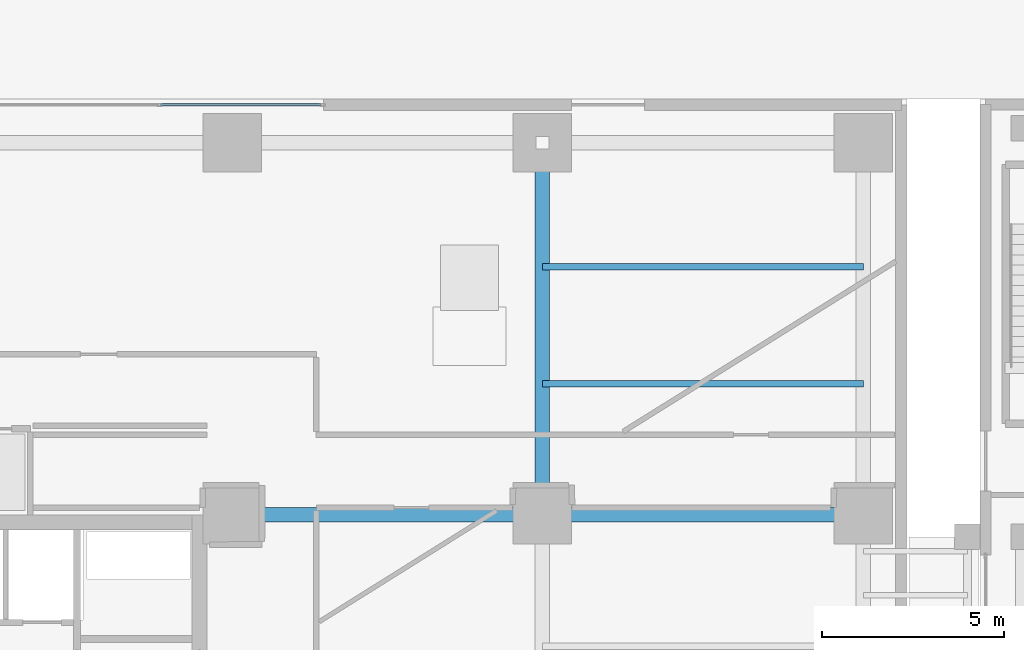
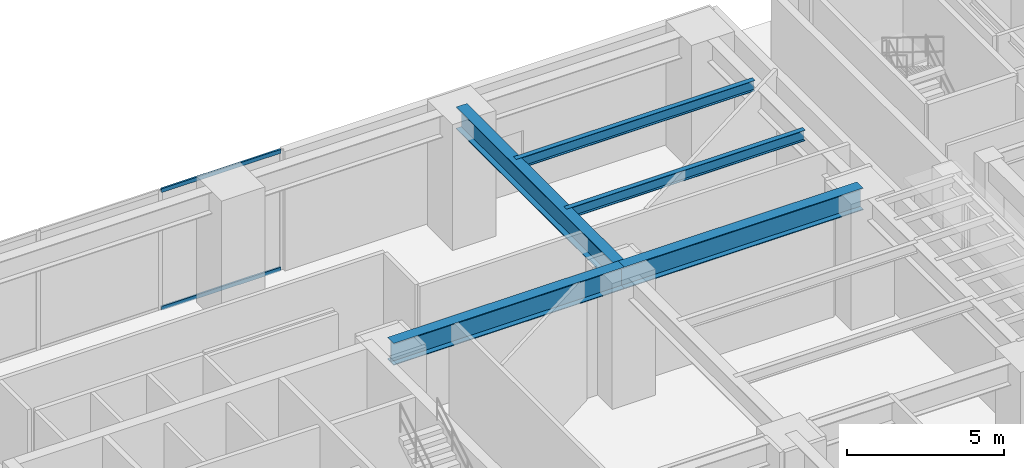
# One storey, part 14 of 28: 5 beams, 2 members, 1 element without a shape of its own.
"""IFC4 building model written with IfcOpenShell, lengths in metres."""

from ifc_helpers import new_model, si_unit, direction, frame, origin, origin_2d, place, context, subcontext, project, spatial, hollow_rectangle, i_section, extrude, source, transform, mapped, material, layer, layer_set, material_profile, profile_set, type_object, type_shapes, element, aggregate, save


model = new_model("IFC4")

# Units and contexts
model_context = context("Model", 3, precision=1e-05, world=origin(), true_north=direction((0.0, 1.0)))
body_context = subcontext(model_context, "Body", "Model", "MODEL_VIEW")
ifc_project = project(units=[si_unit("LENGTHUNIT", "METRE"), si_unit("AREAUNIT", "SQUARE_METRE"), si_unit("VOLUMEUNIT", "CUBIC_METRE"), si_unit("PLANEANGLEUNIT", "RADIAN"), si_unit("MASSUNIT", "GRAM", prefix="KILO")], contexts=[model_context])

# Site, building, storey
site_placement = place(None, origin())
site = spatial("IfcSite", under=ifc_project, at=site_placement, CompositionType="ELEMENT")
building_placement = place(site_placement, origin())
building = spatial("IfcBuilding", under=site, at=building_placement, Name="Talar Marvaseh", CompositionType="ELEMENT")
storey_placement = place(building_placement, origin())
storey = spatial("IfcBuildingStorey", under=building, at=storey_placement, Name="L00", CompositionType="ELEMENT", Elevation=0.0)

# Beams
ifc_material_1 = material(Name="Steel S355", Category="steel")
ifc_material_profile_1 = material_profile(ifc_material_1, i_section(OverallWidth=0.39990234375, OverallDepth=0.85498046875, WebThickness=0.018310546875, FlangeThickness=0.029296875, at=origin_2d()), Name="W840x299")
ifc_profile_set_1 = profile_set([ifc_material_profile_1], Name="Steel S355")
beam_type_1 = type_object("IfcBeamType", Name="Concourse Primary Girder W840x299", PredefinedType="BEAM", material=ifc_profile_set_1)
beam_1_placement = place(storey_placement, frame((33.5, 36.60009765625, 4.472412109375), z_axis=(1.0, 0.0, 0.0), x_axis=(0.0, 1.0, 0.0)))
element("IfcBeam", 1, at=beam_1_placement, inside=storey, type_object=beam_type_1, Name="L00 Concourse Primary Girder W840x299", PredefinedType="BEAM", context=body_context, shape_type="SweptSolid", body=[
    extrude(i_section(OverallWidth=0.39990234375, OverallDepth=0.85498046875, WebThickness=0.018310546875, FlangeThickness=0.029296875, at=origin_2d()), origin(), (0.0, 0.0, 1.0), 8.5),
])
beam_2_placement = place(storey_placement, frame((42.0, 36.60009765625, 4.472412109375), z_axis=(1.0, 0.0, 0.0), x_axis=(0.0, 1.0, 0.0)))
element("IfcBeam", 2, at=beam_2_placement, inside=storey, type_object=beam_type_1, Name="L00 Concourse Primary Girder W840x299", PredefinedType="BEAM", context=body_context, shape_type="SweptSolid", body=[
    extrude(i_section(OverallWidth=0.39990234375, OverallDepth=0.85498046875, WebThickness=0.018310546875, FlangeThickness=0.029296875, at=origin_2d()), origin(), (0.0, 0.0, 1.0), 8.800048828125),
])
beam_3_placement = place(storey_placement, frame((42.0, 36.60009765625, 4.472412109375), z_axis=(0.0, 1.0, 0.0), x_axis=(-1.0, 0.0, 0.0)))
element("IfcBeam", 3, at=beam_3_placement, inside=storey, type_object=beam_type_1, Name="L00 Concourse Primary Girder W840x299", PredefinedType="BEAM", context=body_context, shape_type="SweptSolid", body=[
    extrude(i_section(OverallWidth=0.39990234375, OverallDepth=0.85498046875, WebThickness=0.018310546875, FlangeThickness=0.029296875, at=origin_2d()), origin(), (0.0, 0.0, 1.0), 10.199951171875),
])
ifc_material_profile_2 = material_profile(ifc_material_1, i_section(OverallWidth=0.179931640625, OverallDepth=0.4130859375, WebThickness=0.009765625, FlangeThickness=0.01611328125, at=origin_2d()), Name="W410x75")
ifc_profile_set_2 = profile_set([ifc_material_profile_2], Name="Steel S355")
beam_type_2 = type_object("IfcBeamType", Name="Zone 1 Secondary Floor Joist W410x75", PredefinedType="JOIST", material=ifc_profile_set_2)
for number, where, z_axis, x_axis, name in (
    (4, (42.0, 40.199951171875, 4.693603515625), (1.0, 0.0, 0.0), (0.0, 1.0, 0.0), "L00 Zone 1 Secondary Floor Joist W410x75"),
    (5, (42.0, 43.39990234375, 4.693603515625), (1.0, 0.0, 0.0), (0.0, 1.0, 0.0), "L00 Zone 1 Secondary Floor Joist W410x75"),
):
    element("IfcBeam", number, at=place(storey_placement, frame(where, z_axis=z_axis, x_axis=x_axis)), inside=storey, type_object=beam_type_2, Name=name, PredefinedType="JOIST", context=body_context, shape_type="SweptSolid", body=[
        extrude(i_section(OverallWidth=0.179931640625, OverallDepth=0.4130859375, WebThickness=0.009765625, FlangeThickness=0.01611328125, at=origin_2d()), origin(), (0.0, 0.0, 1.0), 8.800048828125),
    ])

# Curtain wall, members
ifc_material_2 = material(Name="Architectural Aluminium", Category="aluminium")
ifc_layer = layer(ifc_material_2, 0.25)
ifc_layer_set = layer_set([ifc_layer], Name="Architectural Aluminium")
curtain_wall_type = type_object("IfcCurtainWallType", Name="Station Podium Monumental Iwan Curtain Wall", PredefinedType="NOTDEFINED", material=ifc_layer_set)
curtain_wall_placement = place(storey_placement, origin())
curtain_wall = element("IfcCurtainWall", 6, at=curtain_wall_placement, inside=storey, type_object=curtain_wall_type, Name="L00 Station Podium Monumental Iwan Curtain Wall", PredefinedType="NOTDEFINED")
ifc_material_profile_3 = material_profile(ifc_material_2, hollow_rectangle(XDim=0.06494140625, YDim=0.14990234375, WallThickness=0.00390625, at=origin_2d()), Name="RHS150x65x4")
ifc_profile_set_3 = profile_set([ifc_material_profile_3], Name="Architectural Aluminium")
member_type = type_object("IfcMemberType", Name="Unitised Curtain Wall Slim Transom RHS150x65x4", PredefinedType="USERDEFINED", material=ifc_profile_set_3)
shared_shape = source(origin(), body_context, "Body", "SweptSolid", [
    extrude(hollow_rectangle(XDim=0.06494140625, YDim=0.14990234375, WallThickness=0.00390625, at=origin_2d()), origin(), (0.0, 0.0, 1.0), 4.402587890625),
])
type_shapes(member_type, [shared_shape])
member_1_placement = place(storey_placement, frame((31.532470703125, 47.840087890625, 0.032470703125), z_axis=(1.0, 0.0, 0.0), x_axis=(0.0, 1.0, 0.0)))
member_1 = element("IfcMember", 7, at=member_1_placement, type_object=member_type, Name="CW-POD transom 4.1", ObjectType="TRANSOM", PredefinedType="USERDEFINED", context=body_context, shape_type="MappedRepresentation", body=[
    mapped(shared_shape, transform((0.0, 0.0, 0.0), x_axis=(1.0, 0.0, 0.0), y_axis=(0.0, 1.0, 0.0), z_axis=(0.0, 0.0, 1.0), scale=1.0)),
])
member_2_placement = place(storey_placement, frame((31.532470703125, 47.840087890625, 4.617431640625), z_axis=(1.0, 0.0, 0.0), x_axis=(0.0, 1.0, 0.0)))
member_2 = element("IfcMember", 8, at=member_2_placement, type_object=member_type, Name="CW-POD transom 4.2", ObjectType="TRANSOM", PredefinedType="USERDEFINED", context=body_context, shape_type="MappedRepresentation", body=[
    mapped(shared_shape, transform((0.0, 0.0, 0.0), x_axis=(1.0, 0.0, 0.0), y_axis=(0.0, 1.0, 0.0), z_axis=(0.0, 0.0, 1.0), scale=1.0)),
])
aggregate(curtain_wall, [member_1, member_2])

save(model, "model.ifc")
